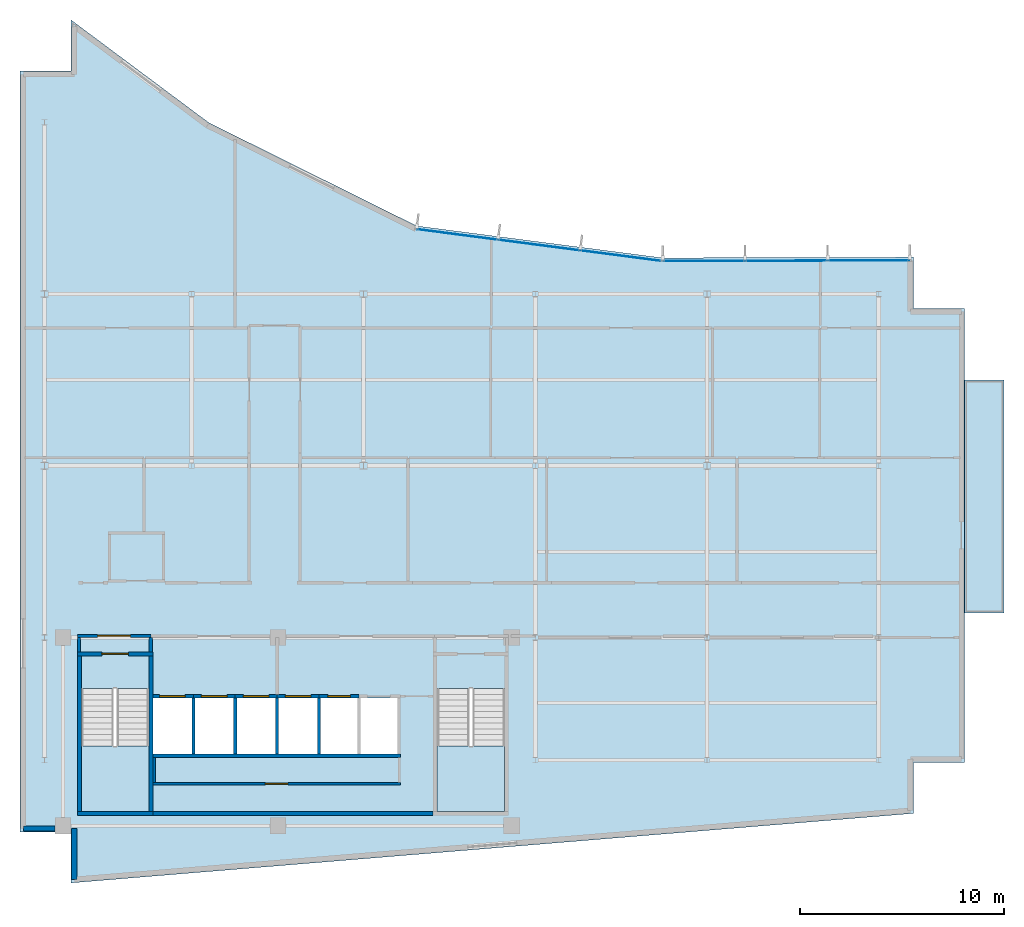
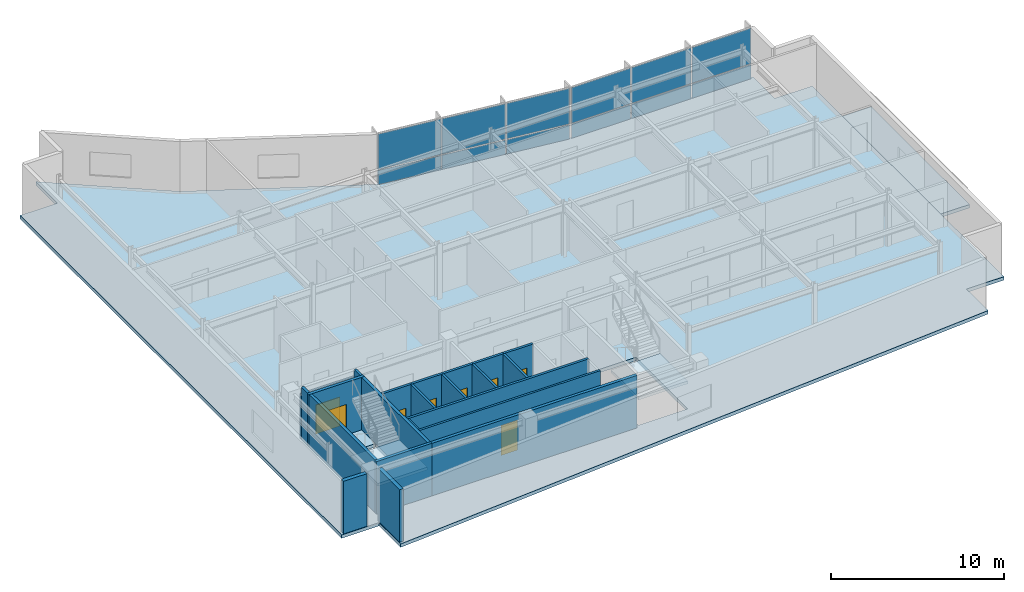
# One storey, part 9 of 15: 22 walls, 12 plates, 8 doors, 4 slabs, 8 openings, 4 elements without a shape of their own.
"""IFC4 building model written with IfcOpenShell, lengths in metres."""

import ifcopenshell
import ifcopenshell.guid

model = None  # the IFC model being written
_history = None  # IfcOwnerHistory: only IFC2X3 demands one
_inside = {}  # id of a spatial element -> (the spatial element, [elements in it])
_under = {}  # id of a project, library or spatial element -> (it, [spatial elements below it])
_declared = {}  # id of a project -> (the project, [libraries it declares])
_typed = {}  # id of a type object -> (the type object, [elements of that type])
_made_of = {}  # id of a material, layer set ... -> (it, [elements and type objects made of it])


def new_model(schema):
    """Start an empty IFC model of exactly this schema.

    Asked for "IFC4X3", IfcOpenShell would pick the latest addendum, in which some entities
    have other attributes; the version numbers below select the first issue.
    IFC2X3 requires an IfcOwnerHistory on every rooted entity: one is made here for all.
    """
    global model, _history
    if schema == "IFC4X3":
        model = ifcopenshell.file(schema_version=(4, 3, 0, 0))
    else:
        model = ifcopenshell.file(schema=schema)
    _inside.clear()
    _under.clear()
    _declared.clear()
    _typed.clear()
    _made_of.clear()
    _history = None
    if model.schema == "IFC2X3":
        org = make("IfcOrganization", Name="unknown")
        user = make(
            "IfcPersonAndOrganization",
            ThePerson=make("IfcPerson", FamilyName="unknown"),
            TheOrganization=org,
        )
        app = make(
            "IfcApplication",
            ApplicationDeveloper=org,
            Version="unknown",
            ApplicationFullName="unknown",
            ApplicationIdentifier="unknown",
        )
        _history = make(
            "IfcOwnerHistory",
            OwningUser=user,
            OwningApplication=app,
            ChangeAction="ADDED",
            CreationDate=0,
        )
    return model


def make(cls, **values):
    """One entity of the class cls with the attributes given. An attribute that is None is left unset."""
    return model.create_entity(
        cls, **{name: value for name, value in values.items() if value is not None}
    )


def rooted(cls, **values):
    """An entity with a GlobalId (a new one), such as an element, a storey or a relation."""
    return make(cls, GlobalId=ifcopenshell.guid.new(), OwnerHistory=_history, **values)


def si_unit(unit_type, name, prefix=None):
    """IfcSIUnit, for example si_unit("LENGTHUNIT", "METRE", prefix="MILLI")."""
    return make("IfcSIUnit", UnitType=unit_type, Prefix=prefix, Name=name)


def assignment(units):
    """IfcUnitAssignment: the units of a project."""
    return None if units is None else make("IfcUnitAssignment", Units=units)


def point(xyz):
    """IfcCartesianPoint."""
    return None if xyz is None else make("IfcCartesianPoint", Coordinates=xyz)


def direction(xyz):
    """IfcDirection."""
    return None if xyz is None else make("IfcDirection", DirectionRatios=xyz)


def frame(location, z_axis=None, x_axis=None):
    """IfcAxis2Placement3D, a coordinate frame: its origin and axes. An axis left out is left unset."""
    return make(
        "IfcAxis2Placement3D",
        Location=point(location),
        Axis=direction(z_axis),
        RefDirection=direction(x_axis),
    )


def frame_2d(location, x_axis=None):
    """IfcAxis2Placement2D, a coordinate frame in the plane: its origin and x axis."""
    return make(
        "IfcAxis2Placement2D", Location=point(location), RefDirection=direction(x_axis)
    )


def origin():
    """The frame at (0, 0, 0) with its axes left unset."""
    return frame((0.0, 0.0, 0.0))


def origin_2d():
    """The frame at (0, 0) in the plane with its x axis left unset."""
    return frame_2d((0.0, 0.0))


def place(relative_to, where):
    """IfcLocalPlacement: puts the frame where relative to a parent placement (None: the world)."""
    return make(
        "IfcLocalPlacement", PlacementRelTo=relative_to, RelativePlacement=where
    )


def context(
    kind, dimensions, precision=None, world=None, true_north=None, identifier=None
):
    """IfcGeometricRepresentationContext, for example the 3D "Model" context."""
    return make(
        "IfcGeometricRepresentationContext",
        ContextIdentifier=identifier,
        ContextType=kind,
        CoordinateSpaceDimension=dimensions,
        Precision=precision,
        WorldCoordinateSystem=world,
        TrueNorth=true_north,
    )


def subcontext(parent, identifier, kind, view, scale=None):
    """IfcGeometricRepresentationSubContext, for example "Body" below "Model"."""
    return make(
        "IfcGeometricRepresentationSubContext",
        ContextIdentifier=identifier,
        ContextType=kind,
        ParentContext=parent,
        TargetScale=scale,
        TargetView=view,
    )


def project(units=None, contexts=None):
    """IfcProject with its units and contexts."""
    return rooted(
        "IfcProject",
        Name="project",
        RepresentationContexts=contexts,
        UnitsInContext=assignment(units),
    )


def spatial(cls, under=None, at=None, **own):
    """A site, building, storey or space (cls), placed at a placement, below another one or the project."""
    s = rooted(cls, ObjectPlacement=at, **own)
    if under is not None:
        _under.setdefault(under.id(), (under, []))[1].append(s)
    return s


def polyline(points):
    """IfcPolyline through the points."""
    return make("IfcPolyline", Points=[point(p) for p in points])


def profile(cls, at=None, kind="AREA", **sizes):
    """A parametric profile (cls). Its sizes go by their IFC names, for example OverallWidth=200.0."""
    return make(cls, ProfileType=kind, Position=at, **sizes)


def rectangle(**sizes):
    """IfcRectangleProfileDef."""
    return profile("IfcRectangleProfileDef", **sizes)


def outline(outer, holes=None, kind="AREA"):
    """IfcArbitraryClosedProfileDef: a profile drawn as a closed curve; with holes, ...WithVoids."""
    if holes is None:
        return make("IfcArbitraryClosedProfileDef", ProfileType=kind, OuterCurve=outer)
    return make(
        "IfcArbitraryProfileDefWithVoids",
        ProfileType=kind,
        OuterCurve=outer,
        InnerCurves=holes,
    )


def extrude(swept, where, along, depth):
    """IfcExtrudedAreaSolid: the profile swept, set in the frame where, extruded along a direction by depth."""
    return make(
        "IfcExtrudedAreaSolid",
        SweptArea=swept,
        Position=where,
        ExtrudedDirection=direction(along),
        Depth=depth,
    )


def shape(context_of_items, identifier, shape_type, items):
    """IfcShapeRepresentation: the items that make up one representation, for example the "Body"."""
    return make(
        "IfcShapeRepresentation",
        ContextOfItems=context_of_items,
        RepresentationIdentifier=identifier,
        RepresentationType=shape_type,
        Items=items,
    )


def material(Name=None, Category=None):
    """IfcMaterial."""
    return make("IfcMaterial", Name=Name, Category=Category)


def layer(
    of_material, thickness, ventilated=None, Name=None, Category=None, Priority=None
):
    """IfcMaterialLayer: one layer of a wall or slab, of a material (None: an air gap)."""
    return make(
        "IfcMaterialLayer",
        Material=of_material,
        LayerThickness=thickness,
        IsVentilated=ventilated,
        Name=Name,
        Category=Category,
        Priority=Priority,
    )


def layer_set(layers, Name=None):
    """IfcMaterialLayerSet."""
    return make("IfcMaterialLayerSet", MaterialLayers=layers, LayerSetName=Name)


def made_of(thing, what):
    """Note that an element or type object is made of a material, layer set ...; save() writes the relation."""
    if what is not None:
        _made_of.setdefault(what.id(), (what, []))[1].append(thing)
    return thing


def type_object(cls, material=None, **own):
    """A type object (cls), such as IfcWallType, which elements share."""
    return made_of(rooted(cls, **own), material)


def element(
    cls,
    number,
    at=None,
    inside=None,
    cuts=None,
    type_object=None,
    material=None,
    context=None,
    identifier="Body",
    shape_type=None,
    held_by="IfcProductDefinitionShape",
    body=None,
    shapes=None,
    **own,
):
    """One element of the class cls, such as IfcWall. Its Tag is "e" and its number.

    at: its placement. inside: the storey or other place that contains it. cuts: it is an
    opening in that element (IfcRelVoidsElement). A single representation is given by context,
    identifier, shape_type and body (its items); several are given by shapes. held_by: the class
    of the entity that holds the representations. save() writes the other relations.
    """
    e = rooted(cls, Tag="e%d" % number, ObjectPlacement=at, **own)
    if body is not None:
        shapes = [shape(context, identifier, shape_type, body)]
    if shapes is not None:
        e.Representation = make(held_by, Representations=shapes)
    if inside is not None:
        _inside.setdefault(inside.id(), (inside, []))[1].append(e)
    if cuts is not None:
        rooted(
            "IfcRelVoidsElement", RelatingBuildingElement=cuts, RelatedOpeningElement=e
        )
    if type_object is not None:
        _typed.setdefault(type_object.id(), (type_object, []))[1].append(e)
    return made_of(e, material)


def fill(opening, filler):
    """IfcRelFillsElement: the door or window that sits in an opening."""
    return rooted(
        "IfcRelFillsElement",
        RelatingOpeningElement=opening,
        RelatedBuildingElement=filler,
    )


def aggregate(whole, parts):
    """IfcRelAggregates: a whole, such as a stair, and the parts it consists of."""
    return rooted("IfcRelAggregates", RelatingObject=whole, RelatedObjects=parts)


def save(model, path):
    """Write the relations noted so far, then the file.

    IfcRelAggregates (storeys below a building ...), IfcRelContainedInSpatialStructure (elements
    in a storey), IfcRelDefinesByType, IfcRelAssociatesMaterial and IfcRelDeclares: one each for
    every whole, place, type object, material and project.
    """
    for whole, parts in _under.values():
        aggregate(whole, parts)
    for where, things in _inside.values():
        rooted(
            "IfcRelContainedInSpatialStructure",
            RelatedElements=things,
            RelatingStructure=where,
        )
    for kind, things in _typed.values():
        rooted("IfcRelDefinesByType", RelatedObjects=things, RelatingType=kind)
    for what, things in _made_of.values():
        rooted("IfcRelAssociatesMaterial", RelatedObjects=things, RelatingMaterial=what)
    for by, libraries in _declared.values():
        rooted("IfcRelDeclares", RelatingContext=by, RelatedDefinitions=libraries)
    model.write(path)


model = new_model("IFC4")

# Units and contexts
model_context = context("Model", 3, precision=1e-05, world=origin(), true_north=direction((0.0, 1.0)))
body_context = subcontext(model_context, "Body", "Model", "MODEL_VIEW")
ifc_project = project(units=[si_unit("LENGTHUNIT", "METRE"), si_unit("AREAUNIT", "SQUARE_METRE"), si_unit("VOLUMEUNIT", "CUBIC_METRE"), si_unit("PLANEANGLEUNIT", "RADIAN"), si_unit("MASSUNIT", "GRAM", prefix="KILO")], contexts=[model_context])

# Site, building, storey
site_placement = place(None, origin())
site = spatial("IfcSite", under=ifc_project, at=site_placement, CompositionType="ELEMENT")
building_placement = place(site_placement, origin())
building = spatial("IfcBuilding", under=site, at=building_placement, Name="Varnakote Quay Hospital", CompositionType="ELEMENT")
storey_placement = place(building_placement, frame((0.0, 0.0, 252.60009765625)))
storey = spatial("IfcBuildingStorey", under=building, at=storey_placement, Name="L62", CompositionType="ELEMENT", Elevation=252.60009765625)

# Curtain wall, plates
ifc_material_1 = material(Name="Anodised aluminium 6063-T6 Bronze", Category="aluminium")
ifc_layer_1 = layer(ifc_material_1, 0.235107421875)
ifc_layer_set_1 = layer_set([ifc_layer_1], Name="Anodised aluminium 6063-T6 Bronze")
curtain_wall_type = type_object("IfcCurtainWallType", Name="CW-SYS-5", PredefinedType="NOTDEFINED", material=ifc_layer_set_1)
curtain_wall_1_placement = place(storey_placement, origin())
curtain_wall_1 = element("IfcCurtainWall", 1, at=curtain_wall_1_placement, inside=storey, type_object=curtain_wall_type, Name="L62 Unitised Bronze Curtain Wall 1", PredefinedType="NOTDEFINED")
ifc_material_2 = material(Name="Double-glazed low-E solar glass", Category="glass")
ifc_layer_2 = layer(ifc_material_2, 0.028076171875)
ifc_layer_set_2 = layer_set([ifc_layer_2], Name="Double-glazed low-E solar glass")
plate_type = type_object("IfcPlateType", Name="CW-PNL-GLZ-28", PredefinedType="CURTAIN_PANEL", material=ifc_layer_set_2)
plate_1_placement = place(storey_placement, frame((41.50146484375, 30.434326171875, 0.06494140625), z_axis=(0.0, 0.0, 1.0), x_axis=(-0.999996609008, -0.002604222224, 0.0)))
plate_1 = element("IfcPlate", 2, at=plate_1_placement, type_object=plate_type, Name="-5-L62-1 panel 1.1", PredefinedType="CURTAIN_PANEL", context=body_context, shape_type="SweptSolid", body=[
    extrude(rectangle(XDim=3.947265625, YDim=0.028076171875, at=origin_2d()), origin(), (0.0, 0.0, 1.0), 1.00244140625),
])
plate_2_placement = place(storey_placement, frame((41.50146484375, 30.434326171875, 1.13232421875), z_axis=(0.0, 0.0, 1.0), x_axis=(-0.999996609008, -0.002604222224, 0.0)))
plate_2 = element("IfcPlate", 3, at=plate_2_placement, type_object=plate_type, Name="-5-L62-1 panel 1.2", PredefinedType="CURTAIN_PANEL", context=body_context, shape_type="SweptSolid", body=[
    extrude(rectangle(XDim=3.947265625, YDim=0.028076171875, at=origin_2d()), origin(), (0.0, 0.0, 1.0), 2.512451171875),
])
plate_3_placement = place(storey_placement, frame((37.472900390625, 30.423828125, 0.06494140625), z_axis=(0.0, 0.0, 1.0), x_axis=(-0.999996609008, -0.002604222224, 0.0)))
plate_3 = element("IfcPlate", 4, at=plate_3_placement, type_object=plate_type, Name="-5-L62-1 panel 2.1", PredefinedType="CURTAIN_PANEL", context=body_context, shape_type="SweptSolid", body=[
    extrude(rectangle(XDim=3.979736328125, YDim=0.028076171875, at=origin_2d()), origin(), (0.0, 0.0, 1.0), 1.00244140625),
])
plate_4_placement = place(storey_placement, frame((37.472900390625, 30.423828125, 1.13232421875), z_axis=(0.0, 0.0, 1.0), x_axis=(-0.999996609008, -0.002604222224, 0.0)))
plate_4 = element("IfcPlate", 5, at=plate_4_placement, type_object=plate_type, Name="-5-L62-1 panel 2.2", PredefinedType="CURTAIN_PANEL", context=body_context, shape_type="SweptSolid", body=[
    extrude(rectangle(XDim=3.979736328125, YDim=0.028076171875, at=origin_2d()), origin(), (0.0, 0.0, 1.0), 2.512451171875),
])
plate_5_placement = place(storey_placement, frame((33.444580078125, 30.413330078125, 0.06494140625), z_axis=(0.0, 0.0, 1.0), x_axis=(-0.999996609008, -0.002604222224, 0.0)))
plate_5 = element("IfcPlate", 6, at=plate_5_placement, type_object=plate_type, Name="-5-L62-1 panel 3.1", PredefinedType="CURTAIN_PANEL", context=body_context, shape_type="SweptSolid", body=[
    extrude(rectangle(XDim=3.947265625, YDim=0.028076171875, at=origin_2d()), origin(), (0.0, 0.0, 1.0), 1.00244140625),
])
plate_6_placement = place(storey_placement, frame((33.444580078125, 30.413330078125, 1.13232421875), z_axis=(0.0, 0.0, 1.0), x_axis=(-0.999996609008, -0.002604222224, 0.0)))
plate_6 = element("IfcPlate", 7, at=plate_6_placement, type_object=plate_type, Name="-5-L62-1 panel 3.2", PredefinedType="CURTAIN_PANEL", context=body_context, shape_type="SweptSolid", body=[
    extrude(rectangle(XDim=3.947265625, YDim=0.028076171875, at=origin_2d()), origin(), (0.0, 0.0, 1.0), 2.512451171875),
])
aggregate(curtain_wall_1, [plate_1, plate_2, plate_3, plate_4, plate_5, plate_6])

curtain_wall_2_placement = place(storey_placement, origin())
curtain_wall_2 = element("IfcCurtainWall", 8, at=curtain_wall_2_placement, inside=storey, type_object=curtain_wall_type, Name="L62 Unitised Bronze Curtain Wall 2", PredefinedType="NOTDEFINED")
plate_7_placement = place(storey_placement, frame((29.381591796875, 30.6708984375, 0.06494140625), z_axis=(0.0, 0.0, 1.0), x_axis=(-0.99167226464, 0.128787109389, 0.0)))
plate_7 = element("IfcPlate", 9, at=plate_7_placement, type_object=plate_type, Name="-5-L62-2 panel 1.1", PredefinedType="CURTAIN_PANEL", context=body_context, shape_type="SweptSolid", body=[
    extrude(rectangle(XDim=3.95263671875, YDim=0.028076171875, at=origin_2d()), origin(), (0.0, 0.0, 1.0), 1.00244140625),
])
plate_8_placement = place(storey_placement, frame((29.381591796875, 30.6708984375, 1.13232421875), z_axis=(0.0, 0.0, 1.0), x_axis=(-0.99167226464, 0.128787109389, 0.0)))
plate_8 = element("IfcPlate", 10, at=plate_8_placement, type_object=plate_type, Name="-5-L62-2 panel 1.2", PredefinedType="CURTAIN_PANEL", context=body_context, shape_type="SweptSolid", body=[
    extrude(rectangle(XDim=3.95263671875, YDim=0.028076171875, at=origin_2d()), origin(), (0.0, 0.0, 1.0), 2.512451171875),
])
plate_9_placement = place(storey_placement, frame((25.38134765625, 31.1904296875, 0.06494140625), z_axis=(0.0, 0.0, 1.0), x_axis=(-0.99167226464, 0.128787109389, 0.0)))
plate_9 = element("IfcPlate", 11, at=plate_9_placement, type_object=plate_type, Name="-5-L62-2 panel 2.1", PredefinedType="CURTAIN_PANEL", context=body_context, shape_type="SweptSolid", body=[
    extrude(rectangle(XDim=3.985107421875, YDim=0.028076171875, at=origin_2d()), origin(), (0.0, 0.0, 1.0), 1.00244140625),
])
plate_10_placement = place(storey_placement, frame((25.38134765625, 31.1904296875, 1.13232421875), z_axis=(0.0, 0.0, 1.0), x_axis=(-0.99167226464, 0.128787109389, 0.0)))
plate_10 = element("IfcPlate", 12, at=plate_10_placement, type_object=plate_type, Name="-5-L62-2 panel 2.2", PredefinedType="CURTAIN_PANEL", context=body_context, shape_type="SweptSolid", body=[
    extrude(rectangle(XDim=3.985107421875, YDim=0.028076171875, at=origin_2d()), origin(), (0.0, 0.0, 1.0), 2.512451171875),
])
plate_11_placement = place(storey_placement, frame((21.381103515625, 31.7099609375, 0.06494140625), z_axis=(0.0, 0.0, 1.0), x_axis=(-0.99167226464, 0.128787109389, 0.0)))
plate_11 = element("IfcPlate", 13, at=plate_11_placement, type_object=plate_type, Name="-5-L62-2 panel 3.1", PredefinedType="CURTAIN_PANEL", context=body_context, shape_type="SweptSolid", body=[
    extrude(rectangle(XDim=3.95263671875, YDim=0.028076171875, at=origin_2d()), origin(), (0.0, 0.0, 1.0), 1.00244140625),
])
plate_12_placement = place(storey_placement, frame((21.381103515625, 31.7099609375, 1.13232421875), z_axis=(0.0, 0.0, 1.0), x_axis=(-0.99167226464, 0.128787109389, 0.0)))
plate_12 = element("IfcPlate", 14, at=plate_12_placement, type_object=plate_type, Name="-5-L62-2 panel 3.2", PredefinedType="CURTAIN_PANEL", context=body_context, shape_type="SweptSolid", body=[
    extrude(rectangle(XDim=3.95263671875, YDim=0.028076171875, at=origin_2d()), origin(), (0.0, 0.0, 1.0), 2.512451171875),
])
aggregate(curtain_wall_2, [plate_7, plate_8, plate_9, plate_10, plate_11, plate_12])

# Stair, slab
ifc_material_3 = material(Name="Concrete N40 (f'c 40 MPa)", Category="concrete")
stair_type = type_object("IfcStairType", Name="STR-CORE-1580", PredefinedType="HALF_TURN_STAIR", material=ifc_material_3)
stair_1_placement = place(storey_placement, origin())
stair_1 = element("IfcStair", 15, at=stair_1_placement, inside=storey, type_object=stair_type, Name="L62 Fire-Isolated Exit Stair ST-01", PredefinedType="HALF_TURN_STAIR")
ifc_material_4 = material(Name="Concrete N40 (f'c 40 MPa)", Category="concrete")
ifc_layer_3 = layer(ifc_material_4, 0.199951171875)
ifc_layer_set_3 = layer_set([ifc_layer_3], Name="Concrete N40 (f'c 40 MPa)")
slab_type_1 = type_object("IfcSlabType", Name="SLB-STAIR-LND-200", PredefinedType="LANDING", material=ifc_layer_set_3)
slab_1_placement = place(storey_placement, frame((0.0, 0.0, 1.77490234375)))
slab_1 = element("IfcSlab", 16, at=slab_1_placement, type_object=slab_type_1, Name="ST-01 landing 1", PredefinedType="LANDING", context=body_context, shape_type="SweptSolid", body=[
    extrude(outline(polyline([(3.0, 6.699951171875), (3.0, 3.5), (6.300048828125, 3.5), (6.300048828125, 6.699951171875), (3.0, 6.699951171875)])), origin(), (0.0, 0.0, 1.0), 0.199951171875),
])
aggregate(stair_1, [slab_1])

stair_2_placement = place(storey_placement, origin())
stair_2 = element("IfcStair", 17, at=stair_2_placement, inside=storey, type_object=stair_type, Name="L62 Fire-Isolated Exit Stair ST-02", PredefinedType="HALF_TURN_STAIR")
slab_2_placement = place(storey_placement, frame((0.0, 0.0, 1.77490234375)))
slab_2 = element("IfcSlab", 18, at=slab_2_placement, type_object=slab_type_1, Name="ST-02 landing 1", PredefinedType="LANDING", context=body_context, shape_type="SweptSolid", body=[
    extrude(outline(polyline([(20.39990234375, 6.699951171875), (20.39990234375, 3.5), (23.699951171875, 3.5), (23.699951171875, 6.699951171875), (20.39990234375, 6.699951171875)])), origin(), (0.0, 0.0, 1.0), 0.199951171875),
])
aggregate(stair_2, [slab_2])

# Slabs
ifc_material_5 = material(Name="Concrete N50 (f'c 50 MPa)", Category="concrete")
ifc_layer_4 = layer(ifc_material_5, 0.239990234375)
ifc_layer_set_4 = layer_set([ifc_layer_4], Name="Concrete N50 (f'c 50 MPa)")
slab_type_2 = type_object("IfcSlabType", Name="SLB-TERR-200", PredefinedType="FLOOR", material=ifc_layer_set_4)
slab_3_placement = place(storey_placement, frame((0.0, 0.0, -0.239990234375)))
element("IfcSlab", 19, at=slab_3_placement, inside=storey, type_object=slab_type_2, Name="L62 Waterfront Healing Terrace Slab", PredefinedType="FLOOR", context=body_context, shape_type="SweptSolid", body=[
    extrude(outline(polyline([(46.196044921875, 24.60009765625), (46.196044921875, 13.199951171875), (48.1201171875, 13.199951171875), (48.1201171875, 24.60009765625), (46.196044921875, 24.60009765625)])), origin(), (0.0, 0.0, 1.0), 0.239990234375),
])
ifc_material_6 = material(Name="Concrete N50 (f'c 50 MPa)", Category="concrete")
ifc_layer_5 = layer(ifc_material_6, 0.239990234375)
ifc_layer_set_5 = layer_set([ifc_layer_5], Name="Concrete N50 (f'c 50 MPa)")
slab_type_3 = type_object("IfcSlabType", Name="SLB-WARD-200", PredefinedType="FLOOR", material=ifc_layer_set_5)
slab_4_placement = place(storey_placement, frame((0.0, 0.0, -0.239990234375)))
element("IfcSlab", 20, at=slab_4_placement, inside=storey, type_object=slab_type_3, Name="L62 Primary Floor Slab", PredefinedType="FLOOR", context=body_context, shape_type="SweptSolid", body=[
    extrude(outline(polyline([(0.0, 2.5), (2.5, 2.5), (2.5, 0.0), (43.699951171875, 3.39990234375), (43.699951171875, 5.89990234375), (46.199951171875, 5.89990234375), (46.199951171875, 28.10009765625), (43.699951171875, 28.10009765625), (43.699951171875, 30.60009765625), (31.416015625, 30.568115234375), (19.404052734375, 32.1279296875), (9.239990234375, 37.176025390625), (2.5, 42.199951171875), (2.5, 39.699951171875), (0.0, 39.699951171875), (0.0, 2.5)]), holes=[polyline([(3.0, 3.5), (6.300048828125, 3.5), (6.300048828125, 9.49951171875), (3.0, 9.49951171875), (3.0, 3.5)]), polyline([(20.39990234375, 3.5), (23.699951171875, 3.5), (23.699951171875, 9.49951171875), (20.39990234375, 9.49951171875), (20.39990234375, 3.5)]), polyline([(6.5, 6.300048828125), (8.39990234375, 6.300048828125), (8.39990234375, 9.050048828125), (6.5, 9.050048828125), (6.5, 6.300048828125)]), polyline([(8.550048828125, 6.300048828125), (10.449951171875, 6.300048828125), (10.449951171875, 9.050048828125), (8.550048828125, 9.050048828125), (8.550048828125, 6.300048828125)]), polyline([(10.60009765625, 6.300048828125), (12.5, 6.300048828125), (12.5, 9.050048828125), (10.60009765625, 9.050048828125), (10.60009765625, 6.300048828125)]), polyline([(12.64990234375, 6.300048828125), (14.550048828125, 6.300048828125), (14.550048828125, 9.050048828125), (12.64990234375, 9.050048828125), (12.64990234375, 6.300048828125)]), polyline([(14.699951171875, 6.300048828125), (16.5, 6.300048828125), (16.5, 9.050048828125), (14.699951171875, 9.050048828125), (14.699951171875, 6.300048828125)]), polyline([(16.64990234375, 6.300048828125), (18.449951171875, 6.300048828125), (18.449951171875, 9.050048828125), (16.64990234375, 9.050048828125), (16.64990234375, 6.300048828125)])]), origin(), (0.0, 0.0, 1.0), 0.239990234375),
])

# Wall
ifc_material_7 = material(Name="Fire-rated acoustic gypsum stud wall", Category="gypsum")
ifc_layer_6 = layer(ifc_material_7, 0.159912109375)
ifc_layer_set_6 = layer_set([ifc_layer_6], Name="Fire-rated acoustic gypsum stud wall")
wall_type_1 = type_object("IfcWallType", Name="WL-COMP-160", PredefinedType="PARTITIONING", material=ifc_layer_set_6)
wall_1_placement = place(storey_placement, frame((2.8798828125, 11.300048828125, 0.0), z_axis=(0.0, 0.0, 1.0), x_axis=(0.0, 1.0, 0.0)))
element("IfcWall", 21, at=wall_1_placement, inside=storey, type_object=wall_type_1, Name="L62 West Stair Vestibule West Wall", PredefinedType="PARTITIONING", context=body_context, shape_type="SweptSolid", body=[
    extrude(rectangle(XDim=0.699951171875, YDim=0.159912109375, at=frame_2d((0.35009765625, 0.0))), origin(), (0.0, 0.0, 1.0), 3.7099609375),
])

# Wall, opening, door
wall_2_placement = place(storey_placement, frame((2.800048828125, 12.080078125, 0.0), z_axis=(0.0, 0.0, 1.0), x_axis=(1.0, 0.0, 0.0)))
wall_2 = element("IfcWall", 22, at=wall_2_placement, inside=storey, type_object=wall_type_1, Name="L62 West Stair Vestibule Smoke Wall", PredefinedType="PARTITIONING", context=body_context, shape_type="SweptSolid", body=[
    extrude(rectangle(XDim=3.599853515625, YDim=0.159912109375, at=frame_2d((1.7998046875, 0.0))), origin(), (0.0, 0.0, 1.0), 3.156982421875),
])
opening_1_placement = place(wall_2_placement, frame((1.0, 0.0, 0.0)))
opening_1 = element("IfcOpeningElement", 23, at=opening_1_placement, cuts=wall_2, Name="Opening D-ST1L-L62", PredefinedType="OPENING", context=body_context, shape_type="SweptSolid", body=[
    extrude(rectangle(XDim=1.60009765625, YDim=2.050048828125, at=frame_2d((0.800048828125, 1.02490234375))), frame((0.0, 0.08984375, 0.0), z_axis=(0.0, -1.0, 0.0), x_axis=(1.0, 0.0, 0.0)), (0.0, 0.0, 1.0), 0.179931640625),
])
ifc_material_8 = material(Name="Fire-rated double smoke lobby door")
door_type_1 = type_object("IfcDoorType", Name="DR-LOBBY-FD60S-1600x2150", OperationType="NOTDEFINED", PredefinedType="DOOR", material=ifc_material_8)
door_1_placement = place(opening_1_placement, origin())
door_1 = element("IfcDoor", 24, at=door_1_placement, inside=storey, type_object=door_type_1, Name="L62 West Stair Vestibule Smoke Door", OperationType="DOUBLE_DOOR_SINGLE_SWING", OverallHeight=2.050048828125, OverallWidth=1.60009765625, PredefinedType="DOOR", context=body_context, shape_type="SweptSolid", body=[
    extrude(rectangle(XDim=1.60009765625, YDim=2.050048828125, at=frame_2d((0.800048828125, 1.02490234375))), frame((0.0, 0.02490234375, 0.0), z_axis=(0.0, -1.0, 0.0), x_axis=(1.0, 0.0, 0.0)), (0.0, 0.0, 1.0), 0.050048828125),
])
fill(opening_1, door_1)

# Walls
wall_3_placement = place(storey_placement, frame((6.39990234375, 11.300048828125, 0.0), z_axis=(0.0, 0.0, 1.0), x_axis=(0.0, 1.0, 0.0)))
element("IfcWall", 25, at=wall_3_placement, inside=storey, type_object=wall_type_1, Name="L62 Firefighting Lobby West Wall", PredefinedType="PARTITIONING", context=body_context, shape_type="SweptSolid", body=[
    extrude(rectangle(XDim=0.699951171875, YDim=0.159912109375, at=frame_2d((0.35009765625, 0.0))), origin(), (0.0, 0.0, 1.0), 3.7099609375),
])
ifc_material_9 = material(Name="Concrete N50 (f'c 50 MPa)", Category="concrete")
ifc_layer_7 = layer(ifc_material_9, 0.199951171875)
ifc_layer_set_7 = layer_set([ifc_layer_7], Name="Concrete N50 (f'c 50 MPa)")
wall_type_2 = type_object("IfcWallType", Name="WL-CORE-N50-200", PredefinedType="SHEAR", material=ifc_layer_set_7)
wall_4_placement = place(storey_placement, frame((6.5, 3.39990234375, 0.0), z_axis=(0.0, 0.0, 1.0), x_axis=(1.0, 0.0, 0.0)))
element("IfcWall", 26, at=wall_4_placement, inside=storey, type_object=wall_type_2, Name="L62 Rear Core South Shear Wall", PredefinedType="SHEAR", context=body_context, shape_type="SweptSolid", body=[
    extrude(rectangle(XDim=13.699951171875, YDim=0.199951171875, at=frame_2d((6.85009765625, 0.0))), origin(), (0.0, 0.0, 1.0), 3.7099609375),
])
ifc_material_10 = material(Name="Precast concrete N50 (f'c 50 MPa)", Category="concrete")
ifc_layer_8 = layer(ifc_material_10, 0.260009765625)
ifc_layer_set_8 = layer_set([ifc_layer_8], Name="Precast concrete N50 (f'c 50 MPa)")
wall_type_3 = type_object("IfcWallType", Name="WL-EXT-BRICK-260", PredefinedType="STANDARD", material=ifc_layer_set_8)
wall_5_placement = place(storey_placement, frame((2.659912109375, 2.659912109375, 0.0), z_axis=(0.0, 0.0, 1.0), x_axis=(0.0, -1.0, 0.0)))
element("IfcWall", 27, at=wall_5_placement, inside=storey, type_object=wall_type_3, Name="L62 Brick-Faced Precast Exterior Wall", PredefinedType="STANDARD", context=body_context, shape_type="SweptSolid", body=[
    extrude(rectangle(XDim=2.486328125, YDim=0.260009765625, at=frame_2d((1.2431640625, 0.0))), origin(), (0.0, 0.0, 1.0), 3.7099609375),
])
wall_6_placement = place(storey_placement, frame((0.159912109375, 2.659912109375, 0.0), z_axis=(0.0, 0.0, 1.0), x_axis=(1.0, 0.0, 0.0)))
element("IfcWall", 28, at=wall_6_placement, inside=storey, type_object=wall_type_3, Name="L62 Brick-Faced Precast Exterior Wall", PredefinedType="STANDARD", context=body_context, shape_type="SweptSolid", body=[
    extrude(rectangle(XDim=1.55517578125, YDim=0.260009765625, at=frame_2d((0.777587890625, 0.0))), origin(), (0.0, 0.0, 1.0), 3.7099609375),
])
ifc_material_11 = material(Name="Concrete N50 (f'c 50 MPa)", Category="concrete")
ifc_layer_9 = layer(ifc_material_11, 0.14990234375)
ifc_layer_set_9 = layer_set([ifc_layer_9], Name="Concrete N50 (f'c 50 MPa)")
wall_type_4 = type_object("IfcWallType", Name="WL-SHAFT-N50-150", PredefinedType="SHEAR", material=ifc_layer_set_9)
for number, where, z_axis, x_axis, name in (
    (29, (8.47509765625, 6.300048828125, 0.0), (0.0, 0.0, 1.0), (0.0, 1.0, 0.0), "L62 LF-FF1 Hoistway Divider Wall"),
    (30, (10.52490234375, 6.300048828125, 0.0), (0.0, 0.0, 1.0), (0.0, 1.0, 0.0), "L62 LF-FF2 Hoistway Divider Wall"),
    (31, (12.574951171875, 6.300048828125, 0.0), (0.0, 0.0, 1.0), (0.0, 1.0, 0.0), "L62 LF-SV1 Hoistway Divider Wall"),
    (32, (14.625, 6.300048828125, 0.0), (0.0, 0.0, 1.0), (0.0, 1.0, 0.0), "L62 LF-SV2 Hoistway Divider Wall"),
):
    element("IfcWall", number, at=place(storey_placement, frame(where, z_axis=z_axis, x_axis=x_axis)), inside=storey, type_object=wall_type_4, Name=name, PredefinedType="SHEAR", context=body_context, shape_type="SweptSolid", body=[
        extrude(rectangle(XDim=2.75, YDim=0.14990234375, at=frame_2d((1.375, 0.0))), origin(), (0.0, 0.0, 1.0), 3.7099609375),
    ])
ifc_material_12 = material(Name="Concrete N50 (f'c 50 MPa)", Category="concrete")
ifc_layer_10 = layer(ifc_material_12, 0.159912109375)
ifc_layer_set_10 = layer_set([ifc_layer_10], Name="Concrete N50 (f'c 50 MPa)")
wall_type_5 = type_object("IfcWallType", Name="WL-SHAFT-N50-160", PredefinedType="SHEAR", material=ifc_layer_set_10)
wall_7_placement = place(storey_placement, frame((6.5, 6.219970703125, 0.0), z_axis=(0.0, 0.0, 1.0), x_axis=(1.0, 0.0, 0.0)))
element("IfcWall", 33, at=wall_7_placement, inside=storey, type_object=wall_type_5, Name="L62 REAR Lift Bank Back Shear Wall", PredefinedType="SHEAR", context=body_context, shape_type="SweptSolid", body=[
    extrude(rectangle(XDim=12.110107421875, YDim=0.159912109375, at=frame_2d((6.05517578125, 0.0))), origin(), (0.0, 0.0, 1.0), 3.7099609375),
])

# Wall, opening, door
wall_8_placement = place(storey_placement, frame((6.5, 9.1298828125, 0.0), z_axis=(0.0, 0.0, 1.0), x_axis=(1.0, 0.0, 0.0)))
wall_8 = element("IfcWall", 34, at=wall_8_placement, inside=storey, type_object=wall_type_5, Name="L62 LF-FF1 Hoistway Front Wall", PredefinedType="SHEAR", context=body_context, shape_type="SweptSolid", body=[
    extrude(rectangle(XDim=1.97509765625, YDim=0.159912109375, at=frame_2d((0.987548828125, 0.0))), origin(), (0.0, 0.0, 1.0), 3.7099609375),
])
opening_2_placement = place(wall_8_placement, frame((0.324951171875, 0.0, 0.0)))
opening_2 = element("IfcOpeningElement", 35, at=opening_2_placement, cuts=wall_8, Name="Opening LD-FF1-L62", PredefinedType="OPENING", context=body_context, shape_type="SweptSolid", body=[
    extrude(rectangle(XDim=1.25, YDim=2.14990234375, at=frame_2d((0.625, 1.074951171875))), frame((0.0, 0.08984375, 0.0), z_axis=(0.0, -1.0, 0.0), x_axis=(1.0, 0.0, 0.0)), (0.0, 0.0, 1.0), 0.179931640625),
])
ifc_material_13 = material(Name="Stainless steel lift landing sliding door", Category="steel")
door_type_2 = type_object("IfcDoorType", Name="DR-LIFT-LD-1250x2150", OperationType="NOTDEFINED", PredefinedType="DOOR", material=ifc_material_13)
door_2_placement = place(opening_2_placement, origin())
door_2 = element("IfcDoor", 36, at=door_2_placement, inside=storey, type_object=door_type_2, Name="L62 LF-FF1 Lift Landing Sliding Door", OperationType="SLIDING_TO_LEFT", OverallHeight=2.14990234375, OverallWidth=1.25, PredefinedType="DOOR", context=body_context, shape_type="SweptSolid", body=[
    extrude(rectangle(XDim=1.25, YDim=2.14990234375, at=frame_2d((0.625, 1.074951171875))), frame((0.0, 0.02490234375, 0.0), z_axis=(0.0, -1.0, 0.0), x_axis=(1.0, 0.0, 0.0)), (0.0, 0.0, 1.0), 0.050048828125),
])
fill(opening_2, door_2)

wall_9_placement = place(storey_placement, frame((8.47509765625, 9.1298828125, 0.0), z_axis=(0.0, 0.0, 1.0), x_axis=(1.0, 0.0, 0.0)))
wall_9 = element("IfcWall", 37, at=wall_9_placement, inside=storey, type_object=wall_type_5, Name="L62 LF-FF2 Hoistway Front Wall", PredefinedType="SHEAR", context=body_context, shape_type="SweptSolid", body=[
    extrude(rectangle(XDim=2.0498046875, YDim=0.159912109375, at=frame_2d((1.02490234375, 0.0))), origin(), (0.0, 0.0, 1.0), 3.7099609375),
])
opening_3_placement = place(wall_9_placement, frame((0.39990234375, 0.0, 0.0)))
opening_3 = element("IfcOpeningElement", 38, at=opening_3_placement, cuts=wall_9, Name="Opening LD-FF2-L62", PredefinedType="OPENING", context=body_context, shape_type="SweptSolid", body=[
    extrude(rectangle(XDim=1.25, YDim=2.14990234375, at=frame_2d((0.625, 1.074951171875))), frame((0.0, 0.08984375, 0.0), z_axis=(0.0, -1.0, 0.0), x_axis=(1.0, 0.0, 0.0)), (0.0, 0.0, 1.0), 0.179931640625),
])
door_3_placement = place(opening_3_placement, origin())
door_3 = element("IfcDoor", 39, at=door_3_placement, inside=storey, type_object=door_type_2, Name="L62 LF-FF2 Lift Landing Sliding Door", OperationType="SLIDING_TO_LEFT", OverallHeight=2.14990234375, OverallWidth=1.25, PredefinedType="DOOR", context=body_context, shape_type="SweptSolid", body=[
    extrude(rectangle(XDim=1.25, YDim=2.14990234375, at=frame_2d((0.625, 1.074951171875))), frame((0.0, 0.02490234375, 0.0), z_axis=(0.0, -1.0, 0.0), x_axis=(1.0, 0.0, 0.0)), (0.0, 0.0, 1.0), 0.050048828125),
])
fill(opening_3, door_3)

wall_10_placement = place(storey_placement, frame((10.52490234375, 9.1298828125, 0.0), z_axis=(0.0, 0.0, 1.0), x_axis=(1.0, 0.0, 0.0)))
wall_10 = element("IfcWall", 40, at=wall_10_placement, inside=storey, type_object=wall_type_5, Name="L62 LF-SV1 Hoistway Front Wall", PredefinedType="SHEAR", context=body_context, shape_type="SweptSolid", body=[
    extrude(rectangle(XDim=2.050048828125, YDim=0.159912109375, at=frame_2d((1.02490234375, 0.0))), origin(), (0.0, 0.0, 1.0), 3.7099609375),
])
opening_4_placement = place(wall_10_placement, frame((0.39990234375, 0.0, 0.0)))
opening_4 = element("IfcOpeningElement", 41, at=opening_4_placement, cuts=wall_10, Name="Opening LD-SV1-L62", PredefinedType="OPENING", context=body_context, shape_type="SweptSolid", body=[
    extrude(rectangle(XDim=1.25, YDim=2.14990234375, at=frame_2d((0.625, 1.074951171875))), frame((0.0, 0.08984375, 0.0), z_axis=(0.0, -1.0, 0.0), x_axis=(1.0, 0.0, 0.0)), (0.0, 0.0, 1.0), 0.179931640625),
])
door_4_placement = place(opening_4_placement, origin())
door_4 = element("IfcDoor", 42, at=door_4_placement, inside=storey, type_object=door_type_2, Name="L62 LF-SV1 Lift Landing Sliding Door", OperationType="SLIDING_TO_LEFT", OverallHeight=2.14990234375, OverallWidth=1.25, PredefinedType="DOOR", context=body_context, shape_type="SweptSolid", body=[
    extrude(rectangle(XDim=1.25, YDim=2.14990234375, at=frame_2d((0.625, 1.074951171875))), frame((0.0, 0.02490234375, 0.0), z_axis=(0.0, -1.0, 0.0), x_axis=(1.0, 0.0, 0.0)), (0.0, 0.0, 1.0), 0.050048828125),
])
fill(opening_4, door_4)

wall_11_placement = place(storey_placement, frame((12.574951171875, 9.1298828125, 0.0), z_axis=(0.0, 0.0, 1.0), x_axis=(1.0, 0.0, 0.0)))
wall_11 = element("IfcWall", 43, at=wall_11_placement, inside=storey, type_object=wall_type_5, Name="L62 LF-SV2 Hoistway Front Wall", PredefinedType="SHEAR", context=body_context, shape_type="SweptSolid", body=[
    extrude(rectangle(XDim=2.050048828125, YDim=0.159912109375, at=frame_2d((1.02490234375, 0.0))), origin(), (0.0, 0.0, 1.0), 3.7099609375),
])
opening_5_placement = place(wall_11_placement, frame((0.39990234375, 0.0, 0.0)))
opening_5 = element("IfcOpeningElement", 44, at=opening_5_placement, cuts=wall_11, Name="Opening LD-SV2-L62", PredefinedType="OPENING", context=body_context, shape_type="SweptSolid", body=[
    extrude(rectangle(XDim=1.25, YDim=2.14990234375, at=frame_2d((0.625, 1.074951171875))), frame((0.0, 0.08984375, 0.0), z_axis=(0.0, -1.0, 0.0), x_axis=(1.0, 0.0, 0.0)), (0.0, 0.0, 1.0), 0.179931640625),
])
door_5_placement = place(opening_5_placement, origin())
door_5 = element("IfcDoor", 45, at=door_5_placement, inside=storey, type_object=door_type_2, Name="L62 LF-SV2 Lift Landing Sliding Door", OperationType="SLIDING_TO_LEFT", OverallHeight=2.14990234375, OverallWidth=1.25, PredefinedType="DOOR", context=body_context, shape_type="SweptSolid", body=[
    extrude(rectangle(XDim=1.25, YDim=2.14990234375, at=frame_2d((0.625, 1.074951171875))), frame((0.0, 0.02490234375, 0.0), z_axis=(0.0, -1.0, 0.0), x_axis=(1.0, 0.0, 0.0)), (0.0, 0.0, 1.0), 0.050048828125),
])
fill(opening_5, door_5)

wall_12_placement = place(storey_placement, frame((14.625, 9.1298828125, 0.0), z_axis=(0.0, 0.0, 1.0), x_axis=(1.0, 0.0, 0.0)))
wall_12 = element("IfcWall", 46, at=wall_12_placement, inside=storey, type_object=wall_type_5, Name="L62 LF-PH1 Hoistway Front Wall", PredefinedType="SHEAR", context=body_context, shape_type="SweptSolid", body=[
    extrude(rectangle(XDim=1.949951171875, YDim=0.159912109375, at=frame_2d((0.97509765625, 0.0))), origin(), (0.0, 0.0, 1.0), 3.7099609375),
])
opening_6_placement = place(wall_12_placement, frame((0.425048828125, 0.0, 0.0)))
opening_6 = element("IfcOpeningElement", 47, at=opening_6_placement, cuts=wall_12, Name="Opening LD-PH1-L62", PredefinedType="OPENING", context=body_context, shape_type="SweptSolid", body=[
    extrude(rectangle(XDim=1.10009765625, YDim=2.14990234375, at=frame_2d((0.550048828125, 1.074951171875))), frame((0.0, 0.08984375, 0.0), z_axis=(0.0, -1.0, 0.0), x_axis=(1.0, 0.0, 0.0)), (0.0, 0.0, 1.0), 0.179931640625),
])
ifc_material_14 = material(Name="Brushed bronze lift landing sliding door")
door_type_3 = type_object("IfcDoorType", Name="DR-LIFT-LD-1100x2150", OperationType="NOTDEFINED", PredefinedType="DOOR", material=ifc_material_14)
door_6_placement = place(opening_6_placement, origin())
door_6 = element("IfcDoor", 48, at=door_6_placement, inside=storey, type_object=door_type_3, Name="L62 LF-PH1 Lift Landing Sliding Door", OperationType="SLIDING_TO_LEFT", OverallHeight=2.14990234375, OverallWidth=1.10009765625, PredefinedType="DOOR", context=body_context, shape_type="SweptSolid", body=[
    extrude(rectangle(XDim=1.10009765625, YDim=2.14990234375, at=frame_2d((0.550048828125, 1.074951171875))), frame((0.0, 0.02490234375, 0.0), z_axis=(0.0, -1.0, 0.0), x_axis=(1.0, 0.0, 0.0)), (0.0, 0.0, 1.0), 0.050048828125),
])
fill(opening_6, door_6)

# Walls
ifc_material_15 = material(Name="Concrete N50 (f'c 50 MPa)", Category="concrete")
ifc_layer_11 = layer(ifc_material_15, 0.199951171875)
ifc_layer_set_11 = layer_set([ifc_layer_11], Name="Concrete N50 (f'c 50 MPa)")
wall_type_6 = type_object("IfcWallType", Name="WL-SHAFT-N50-200", PredefinedType="SHEAR", material=ifc_layer_set_11)
wall_13_placement = place(storey_placement, frame((2.800048828125, 3.39990234375, 0.0), z_axis=(0.0, 0.0, 1.0), x_axis=(1.0, 0.0, 0.0)))
element("IfcWall", 49, at=wall_13_placement, inside=storey, type_object=wall_type_6, Name="L62 Stair ST1 South Shaft Wall", PredefinedType="SHEAR", context=body_context, shape_type="SweptSolid", body=[
    extrude(rectangle(XDim=3.699951171875, YDim=0.199951171875, at=frame_2d((1.85009765625, 0.0))), origin(), (0.0, 0.0, 1.0), 3.7099609375),
])
for number, where, z_axis, x_axis, name in (
    (50, (2.89990234375, 3.5, 0.0), (0.0, 0.0, 1.0), (0.0, 1.0, 0.0), "L62 Stair ST1 West Shaft Wall"),
    (51, (6.39990234375, 3.5, 0.0), (0.0, 0.0, 1.0), (0.0, 1.0, 0.0), "L62 Stair ST1 East Shaft Wall"),
):
    element("IfcWall", number, at=place(storey_placement, frame(where, z_axis=z_axis, x_axis=x_axis)), inside=storey, type_object=wall_type_6, Name=name, PredefinedType="SHEAR", context=body_context, shape_type="SweptSolid", body=[
        extrude(rectangle(XDim=7.60009765625, YDim=0.199951171875, at=frame_2d((3.800048828125, 0.0))), origin(), (0.0, 0.0, 1.0), 3.7099609375),
    ])

# Wall, opening, door
wall_14_placement = place(storey_placement, frame((2.800048828125, 11.199951171875, 0.0), z_axis=(0.0, 0.0, 1.0), x_axis=(1.0, 0.0, 0.0)))
wall_14 = element("IfcWall", 52, at=wall_14_placement, inside=storey, type_object=wall_type_6, Name="L62 Stair ST1 Exit Wall", PredefinedType="SHEAR", context=body_context, shape_type="SweptSolid", body=[
    extrude(rectangle(XDim=3.699951171875, YDim=0.199951171875, at=frame_2d((1.85009765625, 0.0))), origin(), (0.0, 0.0, 1.0), 3.7099609375),
])
opening_7_placement = place(wall_14_placement, frame((1.199951171875, 0.0, 0.0)))
opening_7 = element("IfcOpeningElement", 53, at=opening_7_placement, cuts=wall_14, Name="Opening D-ST1-L62", PredefinedType="OPENING", context=body_context, shape_type="SweptSolid", body=[
    extrude(rectangle(XDim=1.300048828125, YDim=2.14990234375, at=frame_2d((0.64990234375, 1.074951171875))), frame((0.0, 0.10986328125, 0.0), z_axis=(0.0, -1.0, 0.0), x_axis=(1.0, 0.0, 0.0)), (0.0, 0.0, 1.0), 0.219970703125),
])
ifc_material_16 = material(Name="Fire-rated ceramic-glazed timber exit door", Category="wood")
door_type_4 = type_object("IfcDoorType", Name="DR-STAIR-FD60S-1300x2150", OperationType="NOTDEFINED", PredefinedType="DOOR", material=ifc_material_16)
door_7_placement = place(opening_7_placement, origin())
door_7 = element("IfcDoor", 54, at=door_7_placement, inside=storey, type_object=door_type_4, Name="L62 Stair ST1 Fire Exit Door", OperationType="SINGLE_SWING_LEFT", OverallHeight=2.14990234375, OverallWidth=1.300048828125, PredefinedType="DOOR", context=body_context, shape_type="SweptSolid", body=[
    extrude(rectangle(XDim=1.300048828125, YDim=2.14990234375, at=frame_2d((0.64990234375, 1.074951171875))), frame((0.0, 0.02490234375, 0.0), z_axis=(0.0, -1.0, 0.0), x_axis=(1.0, 0.0, 0.0)), (0.0, 0.0, 1.0), 0.050048828125),
])
fill(opening_7, door_7)

# Wall
ifc_material_17 = material(Name="Smoke-proof clinical partition", Category="gypsum")
ifc_layer_12 = layer(ifc_material_17, 0.1201171875)
ifc_layer_set_12 = layer_set([ifc_layer_12], Name="Smoke-proof clinical partition")
wall_type_7 = type_object("IfcWallType", Name="WL-SMOKE-120", PredefinedType="PARTITIONING", material=ifc_layer_set_12)
wall_15_placement = place(storey_placement, frame((6.56005859375, 4.919921875, 0.0), z_axis=(0.0, 0.0, 1.0), x_axis=(0.0, 1.0, 0.0)))
element("IfcWall", 55, at=wall_15_placement, inside=storey, type_object=wall_type_7, Name="L62 Core Service Strip West Wall", PredefinedType="PARTITIONING", context=body_context, shape_type="SweptSolid", body=[
    extrude(rectangle(XDim=1.219970703125, YDim=0.1201171875, at=frame_2d((0.60986328125, 0.0))), origin(), (0.0, 0.0, 1.0), 3.7099609375),
])

# Wall, opening, door
ifc_material_18 = material(Name="Fire-rated clinical gypsum partition", Category="gypsum")
ifc_layer_13 = layer(ifc_material_18, 0.139892578125)
ifc_layer_set_13 = layer_set([ifc_layer_13], Name="Fire-rated clinical gypsum partition")
wall_type_8 = type_object("IfcWallType", Name="WL-WARD-140", PredefinedType="PARTITIONING", material=ifc_layer_set_13)
wall_16_placement = place(storey_placement, frame((6.5, 4.85009765625, 0.0), z_axis=(0.0, 0.0, 1.0), x_axis=(1.0, 0.0, 0.0)))
wall_16 = element("IfcWall", 56, at=wall_16_placement, inside=storey, type_object=wall_type_8, Name="L62 Core Clean Linen Store South Wall", PredefinedType="PARTITIONING", context=body_context, shape_type="SweptSolid", body=[
    extrude(rectangle(XDim=12.10009765625, YDim=0.139892578125, at=frame_2d((6.050048828125, 0.0))), origin(), (0.0, 0.0, 1.0), 3.7099609375),
])
opening_8_placement = place(wall_16_placement, frame((5.5, 0.0, 0.0)))
opening_8 = element("IfcOpeningElement", 57, at=opening_8_placement, cuts=wall_16, Name="Opening D-L62-CR01", PredefinedType="OPENING", context=body_context, shape_type="SweptSolid", body=[
    extrude(rectangle(XDim=1.10009765625, YDim=2.10009765625, at=frame_2d((0.550048828125, 1.050048828125))), frame((0.0, 0.079833984375, 0.0), z_axis=(0.0, -1.0, 0.0), x_axis=(1.0, 0.0, 0.0)), (0.0, 0.0, 1.0), 0.159912109375),
])
ifc_material_19 = material(Name="Acoustic timber clinical consult door", Category="wood")
door_type_5 = type_object("IfcDoorType", Name="DR-CLIN-FD30S-1100x2100", OperationType="NOTDEFINED", PredefinedType="DOOR", material=ifc_material_19)
door_8_placement = place(opening_8_placement, origin())
door_8 = element("IfcDoor", 58, at=door_8_placement, inside=storey, type_object=door_type_5, Name="L62 Core Clean Linen Store Door", OperationType="SINGLE_SWING_LEFT", OverallHeight=2.10009765625, OverallWidth=1.10009765625, PredefinedType="DOOR", context=body_context, shape_type="SweptSolid", body=[
    extrude(rectangle(XDim=1.10009765625, YDim=2.10009765625, at=frame_2d((0.550048828125, 1.050048828125))), frame((0.0, 0.02490234375, 0.0), z_axis=(0.0, -1.0, 0.0), x_axis=(1.0, 0.0, 0.0)), (0.0, 0.0, 1.0), 0.050048828125),
])
fill(opening_8, door_8)

save(model, "model.ifc")
